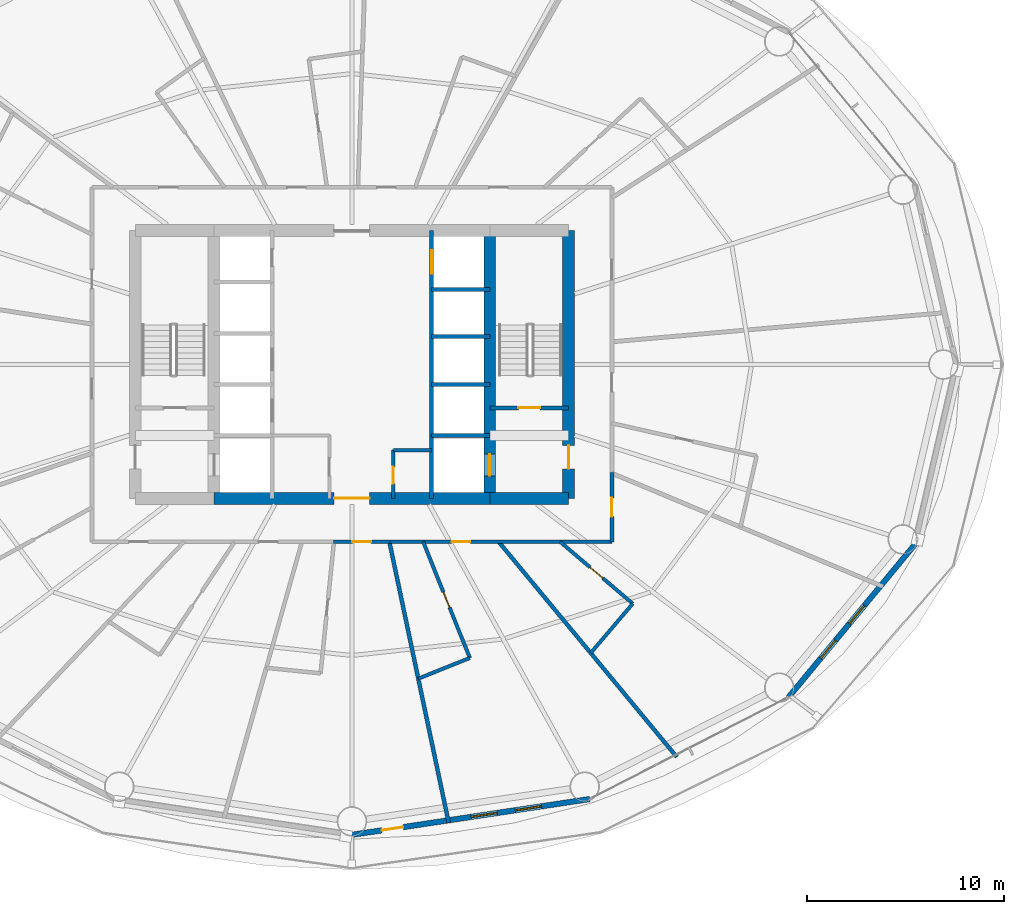
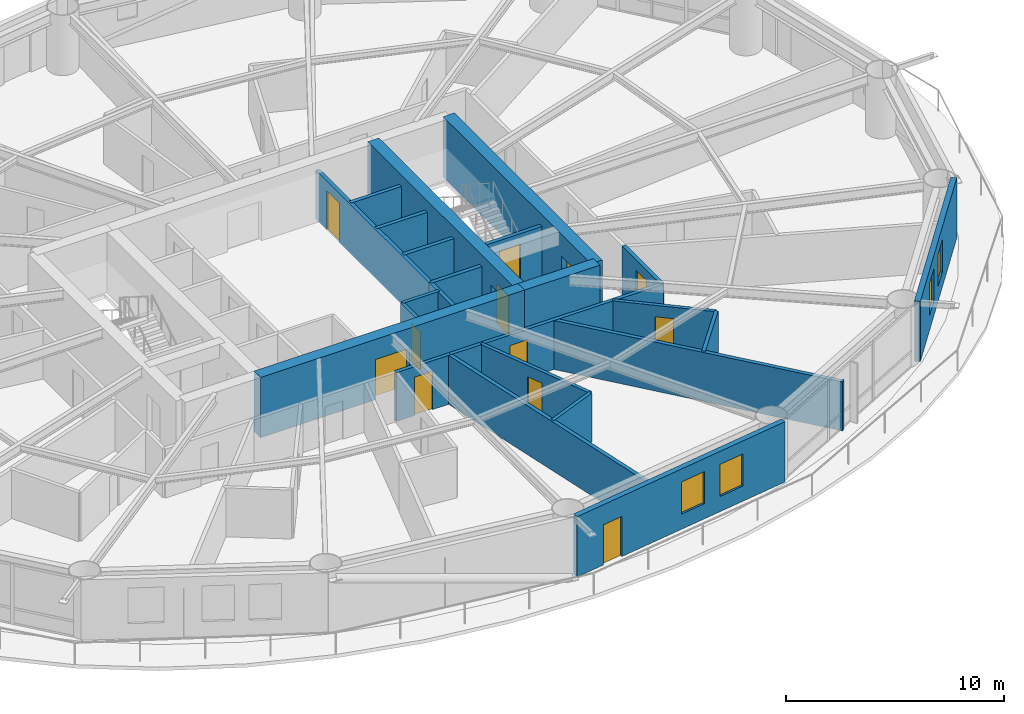
# One storey, part 21 of 26: 24 walls, 12 doors, 4 windows, 16 openings.
"""IFC4 building model written with IfcOpenShell, lengths in metres."""

from ifc_helpers import new_model, si_unit, direction, frame, frame_2d, origin, place, context, subcontext, project, spatial, rectangle, extrude, material, layer, layer_set, type_object, element, fill, save


model = new_model("IFC4")

# Units and contexts
model_context = context("Model", 3, precision=1e-05, world=origin(), true_north=direction((0.0, 1.0)))
body_context = subcontext(model_context, "Body", "Model", "MODEL_VIEW")
ifc_project = project(units=[si_unit("LENGTHUNIT", "METRE"), si_unit("AREAUNIT", "SQUARE_METRE"), si_unit("VOLUMEUNIT", "CUBIC_METRE"), si_unit("PLANEANGLEUNIT", "RADIAN"), si_unit("MASSUNIT", "GRAM", prefix="KILO")], contexts=[model_context])

# Site, building, storey
site_placement = place(None, origin())
site = spatial("IfcSite", under=ifc_project, at=site_placement, CompositionType="ELEMENT")
building_placement = place(site_placement, origin())
building = spatial("IfcBuilding", under=site, at=building_placement, Name="Sarneth Arch Tower", CompositionType="ELEMENT")
storey_placement = place(building_placement, frame((0.0, 0.0, 35.39990234375)))
storey = spatial("IfcBuildingStorey", under=building, at=storey_placement, Name="L07", CompositionType="ELEMENT", Elevation=35.39990234375)

# Wall, opening, door
ifc_material_1 = material(Name="Concrete C60/75", Category="concrete")
ifc_layer_1 = layer(ifc_material_1, 0.60009765625)
ifc_layer_set_1 = layer_set([ifc_layer_1], Name="Concrete C60/75")
wall_type_1 = type_object("IfcWallType", Name="WALL-CORE-600", PredefinedType="SHEAR", material=ifc_layer_set_1)
wall_1_placement = place(storey_placement, frame((41.0, 35.199951171875, 0.0), z_axis=(0.0, 0.0, 1.0), x_axis=(1.0, 0.0, 0.0)))
wall_1 = element("IfcWall", 1, at=wall_1_placement, inside=storey, type_object=wall_type_1, Name="L07 Core shear wall S-M", PredefinedType="SHEAR", context=body_context, shape_type="SweptSolid", body=[
    extrude(rectangle(XDim=14.0, YDim=0.60009765625, at=frame_2d((7.0, 0.0))), origin(), (0.0, 0.0, 1.0), 3.380126953125),
])
opening_1_placement = place(wall_1_placement, frame((6.10009765625, 0.0, 0.0)))
opening_1 = element("IfcOpeningElement", 2, at=opening_1_placement, cuts=wall_1, Name="Opening FD-01", PredefinedType="OPENING", context=body_context, shape_type="SweptSolid", body=[
    extrude(rectangle(XDim=1.800048828125, YDim=2.25, at=frame_2d((0.89990234375, 1.125))), frame((0.0, 0.31005859375, 0.0), z_axis=(0.0, -1.0, 0.0), x_axis=(1.0, 0.0, 0.0)), (0.0, 0.0, 1.0), 0.6201171875),
])
ifc_material_2 = material(Name="Galvanised Steel S275 fire door set", Category="steel")
door_type_1 = type_object("IfcDoorType", Name="DR-FD90-1800", OperationType="DOUBLE_DOOR_SINGLE_SWING", PredefinedType="DOOR", material=ifc_material_2)
door_1_placement = place(opening_1_placement, origin())
door_1 = element("IfcDoor", 3, at=door_1_placement, inside=storey, type_object=door_type_1, Name="L07 Central lift lobby south door", OperationType="DOUBLE_DOOR_SINGLE_SWING", OverallHeight=2.25, OverallWidth=1.800048828125, PredefinedType="DOOR", context=body_context, shape_type="SweptSolid", body=[
    extrude(rectangle(XDim=1.800048828125, YDim=2.25, at=frame_2d((0.89990234375, 1.125))), frame((0.0, 0.02490234375, 0.0), z_axis=(0.0, -1.0, 0.0), x_axis=(1.0, 0.0, 0.0)), (0.0, 0.0, 1.0), 0.050048828125),
])
fill(opening_1, door_1)

# Wall
wall_2_placement = place(storey_placement, frame((55.0, 35.199951171875, 0.0), z_axis=(0.0, 0.0, 1.0), x_axis=(1.0, 0.0, 0.0)))
element("IfcWall", 4, at=wall_2_placement, inside=storey, type_object=wall_type_1, Name="L07 Core shear wall S-E", PredefinedType="SHEAR", context=body_context, shape_type="SweptSolid", body=[
    extrude(rectangle(XDim=4.0, YDim=0.60009765625, at=frame_2d((2.0, 0.0))), origin(), (0.0, 0.0, 1.0), 3.380126953125),
])

# Wall, opening, door
wall_3_placement = place(storey_placement, frame((59.0, 35.199951171875, 0.0), z_axis=(0.0, 0.0, 1.0), x_axis=(0.0, 1.0, 0.0)))
wall_3 = element("IfcWall", 5, at=wall_3_placement, inside=storey, type_object=wall_type_1, Name="L07 Core shear wall E", PredefinedType="SHEAR", context=body_context, shape_type="SweptSolid", body=[
    extrude(rectangle(XDim=13.60009765625, YDim=0.60009765625, at=frame_2d((6.800048828125, 0.0))), origin(), (0.0, 0.0, 1.0), 3.380126953125),
])
opening_2_placement = place(wall_3_placement, frame((1.5, 0.0, 0.0)))
opening_2 = element("IfcOpeningElement", 6, at=opening_2_placement, cuts=wall_3, Name="Opening FD-02", PredefinedType="OPENING", context=body_context, shape_type="SweptSolid", body=[
    extrude(rectangle(XDim=1.199951171875, YDim=2.14990234375, at=frame_2d((0.60009765625, 1.074951171875))), frame((0.0, 0.31005859375, 0.0), z_axis=(0.0, -1.0, 0.0), x_axis=(1.0, 0.0, 0.0)), (0.0, 0.0, 1.0), 0.6201171875),
])
ifc_material_3 = material(Name="Galvanised Steel S275 fire door set", Category="steel")
door_type_2 = type_object("IfcDoorType", Name="DR-FD90-1200", OperationType="SINGLE_SWING_LEFT", PredefinedType="DOOR", material=ifc_material_3)
door_2_placement = place(opening_2_placement, origin())
door_2 = element("IfcDoor", 7, at=door_2_placement, inside=storey, type_object=door_type_2, Name="L07 Firefighting lobby 2 exit door", OperationType="SINGLE_SWING_RIGHT", OverallHeight=2.14990234375, OverallWidth=1.199951171875, PredefinedType="DOOR", context=body_context, shape_type="SweptSolid", body=[
    extrude(rectangle(XDim=1.199951171875, YDim=2.14990234375, at=frame_2d((0.60009765625, 1.074951171875))), frame((0.0, 0.02490234375, 0.0), z_axis=(0.0, -1.0, 0.0), x_axis=(1.0, 0.0, 0.0)), (0.0, 0.0, 1.0), 0.050048828125),
])
fill(opening_2, door_2)

wall_4_placement = place(storey_placement, frame((55.0, 35.199951171875, 0.0), z_axis=(0.0, 0.0, 1.0), x_axis=(0.0, 1.0, 0.0)))
wall_4 = element("IfcWall", 8, at=wall_4_placement, inside=storey, type_object=wall_type_1, Name="L07 Core shear wall WEB-E", PredefinedType="SHEAR", context=body_context, shape_type="SweptSolid", body=[
    extrude(rectangle(XDim=13.60009765625, YDim=0.60009765625, at=frame_2d((6.800048828125, 0.0))), origin(), (0.0, 0.0, 1.0), 3.380126953125),
])
opening_3_placement = place(wall_4_placement, frame((1.14990234375, 0.0, 0.0)))
opening_3 = element("IfcOpeningElement", 9, at=opening_3_placement, cuts=wall_4, Name="Opening LD-1", PredefinedType="OPENING", context=body_context, shape_type="SweptSolid", body=[
    extrude(rectangle(XDim=1.10009765625, YDim=2.199951171875, at=frame_2d((0.550048828125, 1.10009765625))), frame((0.0, 0.31005859375, 0.0), z_axis=(0.0, -1.0, 0.0), x_axis=(1.0, 0.0, 0.0)), (0.0, 0.0, 1.0), 0.6201171875),
])
ifc_material_4 = material(Name="Brushed Stainless Steel 304 lift landing door", Category="steel")
door_type_3 = type_object("IfcDoorType", Name="DR-LIFT-SLIDE-1100", OperationType="SLIDING_TO_LEFT", PredefinedType="DOOR", material=ifc_material_4)
door_3_placement = place(opening_3_placement, origin())
door_3 = element("IfcDoor", 10, at=door_3_placement, inside=storey, type_object=door_type_3, Name="L07 Firefighting lift landing door FL-2", OperationType="SLIDING_TO_RIGHT", OverallHeight=2.199951171875, OverallWidth=1.10009765625, PredefinedType="DOOR", context=body_context, shape_type="SweptSolid", body=[
    extrude(rectangle(XDim=1.10009765625, YDim=2.199951171875, at=frame_2d((0.550048828125, 1.10009765625))), frame((0.0, 0.02490234375, 0.0), z_axis=(0.0, -1.0, 0.0), x_axis=(1.0, 0.0, 0.0)), (0.0, 0.0, 1.0), 0.050048828125),
])
fill(opening_3, door_3)

ifc_material_5 = material(Name="Double steel-stud corridor fire wall", Category="steel")
ifc_layer_2 = layer(ifc_material_5, 0.18994140625)
ifc_layer_set_2 = layer_set([ifc_layer_2], Name="Double steel-stud corridor fire wall")
wall_type_2 = type_object("IfcWallType", Name="WALL-CORR-190", PredefinedType="PARTITIONING", material=ifc_layer_set_2)
wall_5_placement = place(storey_placement, frame((61.199951171875, 33.0, 0.0), z_axis=(0.0, 0.0, 1.0), x_axis=(-1.0, 0.0, 0.0)))
wall_5 = element("IfcWall", 11, at=wall_5_placement, inside=storey, type_object=wall_type_2, Name="L07 Interior partition W-L07-TP-022", PredefinedType="PARTITIONING", context=body_context, shape_type="SweptSolid", body=[
    extrude(rectangle(XDim=11.299560546875, YDim=0.18994140625, at=frame_2d((5.64990234375, 0.0))), origin(), (0.0, 0.0, 1.0), 2.739990234375),
])
opening_4_placement = place(wall_5_placement, frame((7.1884765625, 0.0, 0.0)))
opening_4 = element("IfcOpeningElement", 12, at=opening_4_placement, cuts=wall_5, Name="Opening FD-09", PredefinedType="OPENING", context=body_context, shape_type="SweptSolid", body=[
    extrude(rectangle(XDim=0.949951171875, YDim=2.14990234375, at=frame_2d((0.47509765625, 1.074951171875))), frame((0.0, 0.10498046875, 0.0), z_axis=(0.0, -1.0, 0.0), x_axis=(1.0, 0.0, 0.0)), (0.0, 0.0, 1.0), 0.2099609375),
])
ifc_material_6 = material(Name="Hardwood timber hotel entrance fire door", Category="wood")
door_type_4 = type_object("IfcDoorType", Name="DR-FD60-950", OperationType="SINGLE_SWING_RIGHT", PredefinedType="DOOR", material=ifc_material_6)
door_4_placement = place(opening_4_placement, origin())
door_4 = element("IfcDoor", 13, at=door_4_placement, inside=storey, type_object=door_type_4, Name="L07 Interior door DR-L07-KEY-11", OperationType="SINGLE_SWING_RIGHT", OverallHeight=2.14990234375, OverallWidth=0.949951171875, PredefinedType="DOOR", context=body_context, shape_type="SweptSolid", body=[
    extrude(rectangle(XDim=0.949951171875, YDim=2.14990234375, at=frame_2d((0.47509765625, 1.074951171875))), frame((0.0, 0.02490234375, 0.0), z_axis=(0.0, -1.0, 0.0), x_axis=(1.0, 0.0, 0.0)), (0.0, 0.0, 1.0), 0.050048828125),
])
fill(opening_4, door_4)

wall_6_placement = place(storey_placement, frame((61.199951171875, 36.51513671875, 0.0), z_axis=(0.0, 0.0, 1.0), x_axis=(0.0, -1.0, 0.0)))
wall_6 = element("IfcWall", 14, at=wall_6_placement, inside=storey, type_object=wall_type_2, Name="L07 Interior partition W-L07-TP-024", PredefinedType="PARTITIONING", context=body_context, shape_type="SweptSolid", body=[
    extrude(rectangle(XDim=3.51513671875, YDim=0.18994140625, at=frame_2d((1.757568359375, 0.0))), origin(), (0.0, 0.0, 1.0), 2.739990234375),
])
opening_5_placement = place(wall_6_placement, frame((1.282470703125, 0.0, 0.0)))
opening_5 = element("IfcOpeningElement", 15, at=opening_5_placement, cuts=wall_6, Name="Opening FD-09", PredefinedType="OPENING", context=body_context, shape_type="SweptSolid", body=[
    extrude(rectangle(XDim=0.949951171875, YDim=2.14990234375, at=frame_2d((0.47509765625, 1.074951171875))), frame((0.0, 0.10498046875, 0.0), z_axis=(0.0, -1.0, 0.0), x_axis=(1.0, 0.0, 0.0)), (0.0, 0.0, 1.0), 0.2099609375),
])
door_5_placement = place(opening_5_placement, origin())
door_5 = element("IfcDoor", 16, at=door_5_placement, inside=storey, type_object=door_type_4, Name="L07 Interior door DR-L07-KEY-12", OperationType="SINGLE_SWING_RIGHT", OverallHeight=2.14990234375, OverallWidth=0.949951171875, PredefinedType="DOOR", context=body_context, shape_type="SweptSolid", body=[
    extrude(rectangle(XDim=0.949951171875, YDim=2.14990234375, at=frame_2d((0.47509765625, 1.074951171875))), frame((0.0, 0.02490234375, 0.0), z_axis=(0.0, -1.0, 0.0), x_axis=(1.0, 0.0, 0.0)), (0.0, 0.0, 1.0), 0.050048828125),
])
fill(opening_5, door_5)

wall_7_placement = place(storey_placement, frame((49.93310546875, 33.0, 0.0), z_axis=(0.0, 0.0, 1.0), x_axis=(-1.0, 0.0, 0.0)))
wall_7 = element("IfcWall", 17, at=wall_7_placement, inside=storey, type_object=wall_type_2, Name="L07 Interior partition W-L07-TP-020", PredefinedType="PARTITIONING", context=body_context, shape_type="SweptSolid", body=[
    extrude(rectangle(XDim=2.87939453125, YDim=0.18994140625, at=frame_2d((1.439697265625, 0.0))), origin(), (0.0, 0.0, 1.0), 2.739990234375),
])
opening_6_placement = place(wall_7_placement, frame((0.96484375, 0.0, 0.0)))
opening_6 = element("IfcOpeningElement", 18, at=opening_6_placement, cuts=wall_7, Name="Opening FD-09", PredefinedType="OPENING", context=body_context, shape_type="SweptSolid", body=[
    extrude(rectangle(XDim=0.949951171875, YDim=2.14990234375, at=frame_2d((0.47509765625, 1.074951171875))), frame((0.0, 0.10498046875, 0.0), z_axis=(0.0, -1.0, 0.0), x_axis=(1.0, 0.0, 0.0)), (0.0, 0.0, 1.0), 0.2099609375),
])
door_6_placement = place(opening_6_placement, origin())
door_6 = element("IfcDoor", 19, at=door_6_placement, inside=storey, type_object=door_type_4, Name="L07 Interior door DR-L07-KEY-10", OperationType="SINGLE_SWING_RIGHT", OverallHeight=2.14990234375, OverallWidth=0.949951171875, PredefinedType="DOOR", context=body_context, shape_type="SweptSolid", body=[
    extrude(rectangle(XDim=0.949951171875, YDim=2.14990234375, at=frame_2d((0.47509765625, 1.074951171875))), frame((0.0, 0.02490234375, 0.0), z_axis=(0.0, -1.0, 0.0), x_axis=(1.0, 0.0, 0.0)), (0.0, 0.0, 1.0), 0.050048828125),
])
fill(opening_6, door_6)

# Wall, openings, door, windows
ifc_material_7 = material(Name="Extruded terracotta rainscreen on Concrete C40/50 backing", Category="masonry")
ifc_layer_3 = layer(ifc_material_7, 0.280029296875)
ifc_layer_set_3 = layer_set([ifc_layer_3], Name="Extruded terracotta rainscreen on Concrete C40/50 backing")
wall_type_3 = type_object("IfcWallType", Name="WALL-EXT-TERRA-280", PredefinedType="SOLIDWALL", material=ifc_layer_set_3)
wall_8_placement = place(storey_placement, frame((48.0, 18.1201171875, 0.0), z_axis=(0.0, 0.0, 1.0), x_axis=(0.988864835849, 0.148816452121, 0.0)))
wall_8 = element("IfcWall", 20, at=wall_8_placement, inside=storey, type_object=wall_type_3, Name="L07 Terracotta perimeter wall 13", PredefinedType="SOLIDWALL", context=body_context, shape_type="SweptSolid", body=[
    extrude(rectangle(XDim=12.2138671875, YDim=0.280029296875, at=frame_2d((6.10693359375, 0.0))), origin(), (0.0, 0.0, 1.0), 3.380126953125),
])
opening_7_placement = place(wall_8_placement, frame((1.53125, 0.0, 0.0)))
opening_7 = element("IfcOpeningElement", 21, at=opening_7_placement, cuts=wall_8, Name="Opening BD-3", PredefinedType="OPENING", context=body_context, shape_type="SweptSolid", body=[
    extrude(rectangle(XDim=1.10009765625, YDim=2.25, at=frame_2d((0.550048828125, 1.125))), frame((0.0, 0.14990234375, 0.0), z_axis=(0.0, -1.0, 0.0), x_axis=(1.0, 0.0, 0.0)), (0.0, 0.0, 1.0), 0.300048828125),
])
opening_8_placement = place(wall_8_placement, frame((6.1162109375, 0.0, 0.85009765625)))
opening_8 = element("IfcOpeningElement", 22, at=opening_8_placement, cuts=wall_8, Name="Opening W-08", PredefinedType="OPENING", context=body_context, shape_type="SweptSolid", body=[
    extrude(rectangle(XDim=1.35009765625, YDim=1.800048828125, at=frame_2d((0.675048828125, 0.89990234375))), frame((0.0, 0.14990234375, 0.0), z_axis=(0.0, -1.0, 0.0), x_axis=(1.0, 0.0, 0.0)), (0.0, 0.0, 1.0), 0.300048828125),
])
opening_9_placement = place(wall_8_placement, frame((8.38330078125, 0.0, 0.85009765625)))
opening_9 = element("IfcOpeningElement", 23, at=opening_9_placement, cuts=wall_8, Name="Opening W-08", PredefinedType="OPENING", context=body_context, shape_type="SweptSolid", body=[
    extrude(rectangle(XDim=1.35009765625, YDim=1.800048828125, at=frame_2d((0.675048828125, 0.89990234375))), frame((0.0, 0.14990234375, 0.0), z_axis=(0.0, -1.0, 0.0), x_axis=(1.0, 0.0, 0.0)), (0.0, 0.0, 1.0), 0.300048828125),
])
ifc_material_8 = material(Name="Thermally broken Aluminium 6063-T6 and laminated safety glass", Category="aluminium")
door_type_5 = type_object("IfcDoorType", Name="DR-BALC-GLZ-1100", OperationType="SINGLE_SWING_LEFT", PredefinedType="DOOR", material=ifc_material_8)
door_7_placement = place(opening_7_placement, origin())
door_7 = element("IfcDoor", 24, at=door_7_placement, inside=storey, type_object=door_type_5, Name="L07 Balcony glazed door 13", OperationType="SINGLE_SWING_LEFT", OverallHeight=2.25, OverallWidth=1.10009765625, PredefinedType="DOOR", context=body_context, shape_type="SweptSolid", body=[
    extrude(rectangle(XDim=1.10009765625, YDim=2.25, at=frame_2d((0.550048828125, 1.125))), frame((0.0, 0.02490234375, 0.0), z_axis=(0.0, -1.0, 0.0), x_axis=(1.0, 0.0, 0.0)), (0.0, 0.0, 1.0), 0.050048828125),
])
fill(opening_7, door_7)
ifc_material_9 = material(Name="Thermally broken Aluminium 6063-T6 and low-e laminated IGU", Category="aluminium")
window_type_1 = type_object("IfcWindowType", Name="WIN-TWR-1350x1800", PartitioningType="SINGLE_PANEL", PredefinedType="WINDOW", material=ifc_material_9)
window_1_placement = place(opening_8_placement, origin())
window_1 = element("IfcWindow", 25, at=window_1_placement, inside=storey, type_object=window_type_1, Name="L07 Exterior window 13A", OverallHeight=1.800048828125, OverallWidth=1.35009765625, PartitioningType="SINGLE_PANEL", PredefinedType="WINDOW", context=body_context, shape_type="SweptSolid", body=[
    extrude(rectangle(XDim=1.35009765625, YDim=1.800048828125, at=frame_2d((0.675048828125, 0.89990234375))), frame((0.0, 0.030029296875, 0.0), z_axis=(0.0, -1.0, 0.0), x_axis=(1.0, 0.0, 0.0)), (0.0, 0.0, 1.0), 0.06005859375),
])
fill(opening_8, window_1)
window_2_placement = place(opening_9_placement, origin())
window_2 = element("IfcWindow", 26, at=window_2_placement, inside=storey, type_object=window_type_1, Name="L07 Exterior window 13B", OverallHeight=1.800048828125, OverallWidth=1.35009765625, PartitioningType="SINGLE_PANEL", PredefinedType="WINDOW", context=body_context, shape_type="SweptSolid", body=[
    extrude(rectangle(XDim=1.35009765625, YDim=1.800048828125, at=frame_2d((0.675048828125, 0.89990234375))), frame((0.0, 0.030029296875, 0.0), z_axis=(0.0, -1.0, 0.0), x_axis=(1.0, 0.0, 0.0)), (0.0, 0.0, 1.0), 0.06005859375),
])
fill(opening_9, window_2)

# Wall, openings, windows
wall_9_placement = place(storey_placement, frame((70.174072265625, 25.1142578125, 0.0), z_axis=(0.0, 0.0, 1.0), x_axis=(0.637296809613, 0.770618437657, 0.0)))
wall_9 = element("IfcWall", 27, at=wall_9_placement, inside=storey, type_object=wall_type_3, Name="L07 Terracotta perimeter wall 15", PredefinedType="SOLIDWALL", context=body_context, shape_type="SweptSolid", body=[
    extrude(rectangle(XDim=10.053466796875, YDim=0.280029296875, at=frame_2d((5.02685546875, 0.0))), origin(), (0.0, 0.0, 1.0), 3.380126953125),
])
opening_10_placement = place(wall_9_placement, frame((2.552978515625, 0.0, 0.85009765625)))
opening_10 = element("IfcOpeningElement", 28, at=opening_10_placement, cuts=wall_9, Name="Opening W-09", PredefinedType="OPENING", context=body_context, shape_type="SweptSolid", body=[
    extrude(rectangle(XDim=1.199951171875, YDim=1.800048828125, at=frame_2d((0.60009765625, 0.89990234375))), frame((0.0, 0.14990234375, 0.0), z_axis=(0.0, -1.0, 0.0), x_axis=(1.0, 0.0, 0.0)), (0.0, 0.0, 1.0), 0.300048828125),
])
opening_11_placement = place(wall_9_placement, frame((4.83935546875, 0.0, 0.85009765625)))
opening_11 = element("IfcOpeningElement", 29, at=opening_11_placement, cuts=wall_9, Name="Opening W-09", PredefinedType="OPENING", context=body_context, shape_type="SweptSolid", body=[
    extrude(rectangle(XDim=1.199951171875, YDim=1.800048828125, at=frame_2d((0.60009765625, 0.89990234375))), frame((0.0, 0.14990234375, 0.0), z_axis=(0.0, -1.0, 0.0), x_axis=(1.0, 0.0, 0.0)), (0.0, 0.0, 1.0), 0.300048828125),
])
ifc_material_10 = material(Name="Thermally broken Aluminium 6063-T6 and low-e laminated IGU", Category="aluminium")
window_type_2 = type_object("IfcWindowType", Name="WIN-TWR-1200x1800", PartitioningType="SINGLE_PANEL", PredefinedType="WINDOW", material=ifc_material_10)
window_3_placement = place(opening_10_placement, origin())
window_3 = element("IfcWindow", 30, at=window_3_placement, inside=storey, type_object=window_type_2, Name="L07 Exterior window 15A", OverallHeight=1.800048828125, OverallWidth=1.199951171875, PartitioningType="SINGLE_PANEL", PredefinedType="WINDOW", context=body_context, shape_type="SweptSolid", body=[
    extrude(rectangle(XDim=1.199951171875, YDim=1.800048828125, at=frame_2d((0.60009765625, 0.89990234375))), frame((0.0, 0.030029296875, 0.0), z_axis=(0.0, -1.0, 0.0), x_axis=(1.0, 0.0, 0.0)), (0.0, 0.0, 1.0), 0.06005859375),
])
fill(opening_10, window_3)
window_4_placement = place(opening_11_placement, origin())
window_4 = element("IfcWindow", 31, at=window_4_placement, inside=storey, type_object=window_type_2, Name="L07 Exterior window 15B", OverallHeight=1.800048828125, OverallWidth=1.199951171875, PartitioningType="SINGLE_PANEL", PredefinedType="WINDOW", context=body_context, shape_type="SweptSolid", body=[
    extrude(rectangle(XDim=1.199951171875, YDim=1.800048828125, at=frame_2d((0.60009765625, 0.89990234375))), frame((0.0, 0.030029296875, 0.0), z_axis=(0.0, -1.0, 0.0), x_axis=(1.0, 0.0, 0.0)), (0.0, 0.0, 1.0), 0.06005859375),
])
fill(opening_11, window_4)

# Wall
ifc_material_11 = material(Name="Moisture-resistant plumbing chase wall", Category="gypsum")
ifc_layer_4 = layer(ifc_material_11, 0.179931640625)
ifc_layer_set_4 = layer_set([ifc_layer_4], Name="Moisture-resistant plumbing chase wall")
wall_type_4 = type_object("IfcWallType", Name="WALL-PLUMB-180", PredefinedType="PLUMBINGWALL", material=ifc_layer_set_4)
wall_10_placement = place(storey_placement, frame((50.10009765625, 37.64990234375, 0.0), z_axis=(0.0, 0.0, 1.0), x_axis=(1.0, 0.0, 0.0)))
element("IfcWall", 32, at=wall_10_placement, inside=storey, type_object=wall_type_4, Name="L07 Interior partition W-L07-AWC-N", PredefinedType="PLUMBINGWALL", context=body_context, shape_type="SweptSolid", body=[
    extrude(rectangle(XDim=1.949951171875, YDim=0.179931640625, at=frame_2d((0.97509765625, 0.0))), origin(), (0.0, 0.0, 1.0), 2.739990234375),
])

# Wall, opening, door
wall_11_placement = place(storey_placement, frame((50.10009765625, 35.199951171875, 0.0), z_axis=(0.0, 0.0, 1.0), x_axis=(0.0, 1.0, 0.0)))
wall_11 = element("IfcWall", 33, at=wall_11_placement, inside=storey, type_object=wall_type_4, Name="L07 Interior partition W-L07-AWC-W", PredefinedType="PLUMBINGWALL", context=body_context, shape_type="SweptSolid", body=[
    extrude(rectangle(XDim=2.449951171875, YDim=0.179931640625, at=frame_2d((1.22509765625, 0.0))), origin(), (0.0, 0.0, 1.0), 2.739990234375),
])
opening_12_placement = place(wall_11_placement, frame((0.75, 0.0, 0.0)))
opening_12 = element("IfcOpeningElement", 34, at=opening_12_placement, cuts=wall_11, Name="Opening ID-02", PredefinedType="OPENING", context=body_context, shape_type="SweptSolid", body=[
    extrude(rectangle(XDim=0.85009765625, YDim=2.10009765625, at=frame_2d((0.425048828125, 1.050048828125))), frame((0.0, 0.099853515625, 0.0), z_axis=(0.0, -1.0, 0.0), x_axis=(1.0, 0.0, 0.0)), (0.0, 0.0, 1.0), 0.199951171875),
])
ifc_material_12 = material(Name="Moisture-resistant bathroom timber door", Category="wood")
door_type_6 = type_object("IfcDoorType", Name="DR-INT-850", OperationType="SINGLE_SWING_RIGHT", PredefinedType="DOOR", material=ifc_material_12)
door_8_placement = place(opening_12_placement, origin())
door_8 = element("IfcDoor", 35, at=door_8_placement, inside=storey, type_object=door_type_6, Name="L07 Interior door DR-L07-AWC", OperationType="SINGLE_SWING_RIGHT", OverallHeight=2.10009765625, OverallWidth=0.85009765625, PredefinedType="DOOR", context=body_context, shape_type="SweptSolid", body=[
    extrude(rectangle(XDim=0.85009765625, YDim=2.10009765625, at=frame_2d((0.425048828125, 1.050048828125))), frame((0.0, 0.02490234375, 0.0), z_axis=(0.0, -1.0, 0.0), x_axis=(1.0, 0.0, 0.0)), (0.0, 0.0, 1.0), 0.050048828125),
])
fill(opening_12, door_8)

wall_12_placement = place(storey_placement, frame((53.986572265625, 27.102294921875, 0.0), z_axis=(0.0, 0.0, 1.0), x_axis=(-0.37285379951, 0.927890103509, 0.0)))
wall_12 = element("IfcWall", 36, at=wall_12_placement, inside=storey, type_object=wall_type_4, Name="L07 Interior partition W-L07-TP-066", PredefinedType="PLUMBINGWALL", context=body_context, shape_type="SweptSolid", body=[
    extrude(rectangle(XDim=6.35595703125, YDim=0.179931640625, at=frame_2d((3.177978515625, 0.0))), origin(), (0.0, 0.0, 1.0), 2.739990234375),
])
opening_13_placement = place(wall_12_placement, frame((2.7529296875, 0.0, 0.0)))
opening_13 = element("IfcOpeningElement", 37, at=opening_13_placement, cuts=wall_12, Name="Opening ID-02", PredefinedType="OPENING", context=body_context, shape_type="SweptSolid", body=[
    extrude(rectangle(XDim=0.85009765625, YDim=2.10009765625, at=frame_2d((0.425048828125, 1.050048828125))), frame((0.0, 0.099853515625, 0.0), z_axis=(0.0, -1.0, 0.0), x_axis=(1.0, 0.0, 0.0)), (0.0, 0.0, 1.0), 0.199951171875),
])
door_9_placement = place(opening_13_placement, origin())
door_9 = element("IfcDoor", 38, at=door_9_placement, inside=storey, type_object=door_type_6, Name="L07 Interior door DR-L07-ENS-11", OperationType="SINGLE_SWING_LEFT", OverallHeight=2.10009765625, OverallWidth=0.85009765625, PredefinedType="DOOR", context=body_context, shape_type="SweptSolid", body=[
    extrude(rectangle(XDim=0.85009765625, YDim=2.10009765625, at=frame_2d((0.425048828125, 1.050048828125))), frame((0.0, 0.02490234375, 0.0), z_axis=(0.0, -1.0, 0.0), x_axis=(1.0, 0.0, 0.0)), (0.0, 0.0, 1.0), 0.050048828125),
])
fill(opening_13, door_9)

wall_13_placement = place(storey_placement, frame((62.2578125, 29.85888671875, 0.0), z_axis=(0.0, 0.0, 1.0), x_axis=(-0.761358380859, 0.648331254758, 0.0)))
wall_13 = element("IfcWall", 39, at=wall_13_placement, inside=storey, type_object=wall_type_4, Name="L07 Interior partition W-L07-TP-070", PredefinedType="PLUMBINGWALL", context=body_context, shape_type="SweptSolid", body=[
    extrude(rectangle(XDim=4.844970703125, YDim=0.179931640625, at=frame_2d((2.42236328125, 0.0))), origin(), (0.0, 0.0, 1.0), 2.739990234375),
])
opening_14_placement = place(wall_13_placement, frame((1.997314453125, 0.0, 0.0)))
opening_14 = element("IfcOpeningElement", 40, at=opening_14_placement, cuts=wall_13, Name="Opening ID-02", PredefinedType="OPENING", context=body_context, shape_type="SweptSolid", body=[
    extrude(rectangle(XDim=0.85009765625, YDim=2.10009765625, at=frame_2d((0.425048828125, 1.050048828125))), frame((0.0, 0.099853515625, 0.0), z_axis=(0.0, -1.0, 0.0), x_axis=(1.0, 0.0, 0.0)), (0.0, 0.0, 1.0), 0.199951171875),
])
door_10_placement = place(opening_14_placement, origin())
door_10 = element("IfcDoor", 41, at=door_10_placement, inside=storey, type_object=door_type_6, Name="L07 Interior door DR-L07-ENS-12", OperationType="SINGLE_SWING_LEFT", OverallHeight=2.10009765625, OverallWidth=0.85009765625, PredefinedType="DOOR", context=body_context, shape_type="SweptSolid", body=[
    extrude(rectangle(XDim=0.85009765625, YDim=2.10009765625, at=frame_2d((0.425048828125, 1.050048828125))), frame((0.0, 0.02490234375, 0.0), z_axis=(0.0, -1.0, 0.0), x_axis=(1.0, 0.0, 0.0)), (0.0, 0.0, 1.0), 0.050048828125),
])
fill(opening_14, door_10)

# Walls
wall_14_placement = place(storey_placement, frame((60.123779296875, 27.352783203125, 0.0), z_axis=(0.0, 0.0, 1.0), x_axis=(0.648326357453, 0.76136255111, 0.0)))
element("IfcWall", 42, at=wall_14_placement, inside=storey, type_object=wall_type_4, Name="L07 Interior partition W-L07-TP-069", PredefinedType="PLUMBINGWALL", context=body_context, shape_type="SweptSolid", body=[
    extrude(rectangle(XDim=3.29150390625, YDim=0.179931640625, at=frame_2d((1.645751953125, 0.0))), origin(), (0.0, 0.0, 1.0), 2.739990234375),
])
wall_15_placement = place(storey_placement, frame((51.367919921875, 26.050048828125, 0.0), z_axis=(0.0, 0.0, 1.0), x_axis=(0.927890861741, 0.372851912558, 0.0)))
element("IfcWall", 43, at=wall_15_placement, inside=storey, type_object=wall_type_4, Name="L07 Interior partition W-L07-TP-065", PredefinedType="PLUMBINGWALL", context=body_context, shape_type="SweptSolid", body=[
    extrude(rectangle(XDim=2.822265625, YDim=0.179931640625, at=frame_2d((1.4111328125, 0.0))), origin(), (0.0, 0.0, 1.0), 2.739990234375),
])

# Wall, opening, door
ifc_material_13 = material(Name="Aerated concrete blockwork C25/30", Category="masonry")
ifc_layer_5 = layer(ifc_material_13, 0.199951171875)
ifc_layer_set_5 = layer_set([ifc_layer_5], Name="Aerated concrete blockwork C25/30")
wall_type_5 = type_object("IfcWallType", Name="WALL-SHAFT-200", PredefinedType="SOLIDWALL", material=ifc_layer_set_5)
wall_16_placement = place(storey_placement, frame((55.0, 39.800048828125, 0.0), z_axis=(0.0, 0.0, 1.0), x_axis=(1.0, 0.0, 0.0)))
wall_16 = element("IfcWall", 44, at=wall_16_placement, inside=storey, type_object=wall_type_5, Name="L07 Interior partition W-L07-ST2-S", PredefinedType="SOLIDWALL", context=body_context, shape_type="SweptSolid", body=[
    extrude(rectangle(XDim=4.0, YDim=0.199951171875, at=frame_2d((2.0, 0.0))), origin(), (0.0, 0.0, 1.0), 2.739990234375),
])
opening_15_placement = place(wall_16_placement, frame((1.449951171875, 0.0, 0.0)))
opening_15 = element("IfcOpeningElement", 45, at=opening_15_placement, cuts=wall_16, Name="Opening FD-03", PredefinedType="OPENING", context=body_context, shape_type="SweptSolid", body=[
    extrude(rectangle(XDim=1.10009765625, YDim=2.14990234375, at=frame_2d((0.550048828125, 1.074951171875))), frame((0.0, 0.10986328125, 0.0), z_axis=(0.0, -1.0, 0.0), x_axis=(1.0, 0.0, 0.0)), (0.0, 0.0, 1.0), 0.219970703125),
])
ifc_material_14 = material(Name="Galvanised Steel S275 fire door set", Category="steel")
door_type_7 = type_object("IfcDoorType", Name="DR-FD90-1100", OperationType="SINGLE_SWING_LEFT", PredefinedType="DOOR", material=ifc_material_14)
door_11_placement = place(opening_15_placement, origin())
door_11 = element("IfcDoor", 46, at=door_11_placement, inside=storey, type_object=door_type_7, Name="L07 Interior door DR-L07-ST2", OperationType="SINGLE_SWING_RIGHT", OverallHeight=2.14990234375, OverallWidth=1.10009765625, PredefinedType="DOOR", context=body_context, shape_type="SweptSolid", body=[
    extrude(rectangle(XDim=1.10009765625, YDim=2.14990234375, at=frame_2d((0.550048828125, 1.074951171875))), frame((0.0, 0.02490234375, 0.0), z_axis=(0.0, -1.0, 0.0), x_axis=(1.0, 0.0, 0.0)), (0.0, 0.0, 1.0), 0.050048828125),
])
fill(opening_15, door_11)

# Walls
wall_17_placement = place(storey_placement, frame((52.050048828125, 35.199951171875, 0.0), z_axis=(0.0, 0.0, 1.0), x_axis=(0.0, 1.0, 0.0)))
element("IfcWall", 47, at=wall_17_placement, inside=storey, type_object=wall_type_5, Name="L07 Interior partition W-L07-FL2-W", PredefinedType="SOLIDWALL", context=body_context, shape_type="SweptSolid", body=[
    extrude(rectangle(XDim=3.199951171875, YDim=0.199951171875, at=frame_2d((1.60009765625, 0.0))), origin(), (0.0, 0.0, 1.0), 2.739990234375),
])
wall_18_placement = place(storey_placement, frame((52.050048828125, 38.39990234375, 0.0), z_axis=(0.0, 0.0, 1.0), x_axis=(1.0, 0.0, 0.0)))
element("IfcWall", 48, at=wall_18_placement, inside=storey, type_object=wall_type_5, Name="L07 Interior partition W-L07-FL2-N", PredefinedType="SOLIDWALL", context=body_context, shape_type="SweptSolid", body=[
    extrude(rectangle(XDim=2.949951171875, YDim=0.199951171875, at=frame_2d((1.47509765625, 0.0))), origin(), (0.0, 0.0, 1.0), 2.739990234375),
])

# Wall, opening, door
wall_19_placement = place(storey_placement, frame((52.050048828125, 38.39990234375, 0.0), z_axis=(0.0, 0.0, 1.0), x_axis=(0.0, 1.0, 0.0)))
wall_19 = element("IfcWall", 49, at=wall_19_placement, inside=storey, type_object=wall_type_5, Name="L07 Interior partition W-L07-EASTBANK-FRONT", PredefinedType="SOLIDWALL", context=body_context, shape_type="SweptSolid", body=[
    extrude(rectangle(XDim=10.400146484375, YDim=0.199951171875, at=frame_2d((5.2001953125, 0.0))), origin(), (0.0, 0.0, 1.0), 2.739990234375),
])
opening_16_placement = place(wall_19_placement, frame((8.199951171875, 0.0, 0.0)))
opening_16 = element("IfcOpeningElement", 50, at=opening_16_placement, cuts=wall_19, Name="Opening LD-2", PredefinedType="OPENING", context=body_context, shape_type="SweptSolid", body=[
    extrude(rectangle(XDim=1.199951171875, YDim=2.199951171875, at=frame_2d((0.60009765625, 1.10009765625))), frame((0.0, 0.10986328125, 0.0), z_axis=(0.0, -1.0, 0.0), x_axis=(1.0, 0.0, 0.0)), (0.0, 0.0, 1.0), 0.219970703125),
])
ifc_material_15 = material(Name="Brushed Stainless Steel 304 service lift door", Category="steel")
door_type_8 = type_object("IfcDoorType", Name="DR-LIFT-SLIDE-1200", OperationType="SLIDING_TO_RIGHT", PredefinedType="DOOR", material=ifc_material_15)
door_12_placement = place(opening_16_placement, origin())
door_12 = element("IfcDoor", 51, at=door_12_placement, inside=storey, type_object=door_type_8, Name="L07 Lift landing door DR-L07-LD-SL1", OperationType="SLIDING_TO_RIGHT", OverallHeight=2.199951171875, OverallWidth=1.199951171875, PredefinedType="DOOR", context=body_context, shape_type="SweptSolid", body=[
    extrude(rectangle(XDim=1.199951171875, YDim=2.199951171875, at=frame_2d((0.60009765625, 1.10009765625))), frame((0.0, 0.02490234375, 0.0), z_axis=(0.0, -1.0, 0.0), x_axis=(1.0, 0.0, 0.0)), (0.0, 0.0, 1.0), 0.050048828125),
])
fill(opening_16, door_12)

# Walls
for number, where, z_axis, x_axis, name in (
    (52, (52.050048828125, 40.97998046875, 0.0), (0.0, 0.0, 1.0), (1.0, 0.0, 0.0), "L07 Interior partition W-L07-EB-DIV-4098"),
    (53, (52.050048828125, 43.419921875, 0.0), (0.0, 0.0, 1.0), (1.0, 0.0, 0.0), "L07 Interior partition W-L07-EB-DIV-4342"),
    (54, (52.050048828125, 45.800048828125, 0.0), (0.0, 0.0, 1.0), (1.0, 0.0, 0.0), "L07 Interior partition W-L07-EB-DIV-4580"),
):
    element("IfcWall", number, at=place(storey_placement, frame(where, z_axis=z_axis, x_axis=x_axis)), inside=storey, type_object=wall_type_5, Name=name, PredefinedType="SOLIDWALL", context=body_context, shape_type="SweptSolid", body=[
        extrude(rectangle(XDim=2.949951171875, YDim=0.199951171875, at=frame_2d((1.47509765625, 0.0))), origin(), (0.0, 0.0, 1.0), 2.739990234375),
    ])
ifc_material_16 = material(Name="Double steel-stud acoustic drywall", Category="steel")
ifc_layer_6 = layer(ifc_material_16, 0.199951171875)
ifc_layer_set_6 = layer_set([ifc_layer_6], Name="Double steel-stud acoustic drywall")
wall_type_6 = type_object("IfcWallType", Name="WALL-UNIT-200", PredefinedType="PARTITIONING", material=ifc_layer_set_6)
wall_20_placement = place(storey_placement, frame((49.900390625, 33.0, 0.0), z_axis=(0.0, 0.0, 1.0), x_axis=(0.206598790959, -0.97842574556, 0.0)))
element("IfcWall", 55, at=wall_20_placement, inside=storey, type_object=wall_type_6, Name="L07 Interior partition W-L07-TP-063", PredefinedType="PARTITIONING", context=body_context, shape_type="SweptSolid", body=[
    extrude(rectangle(XDim=14.576416015625, YDim=0.199951171875, at=frame_2d((7.2880859375, 0.0))), origin(), (0.0, 0.0, 1.0), 2.739990234375),
])
wall_21_placement = place(storey_placement, frame((55.449462890625, 33.0, 0.0), z_axis=(0.0, 0.0, 1.0), x_axis=(0.637638501905, -0.770335732579, 0.0)))
element("IfcWall", 56, at=wall_21_placement, inside=storey, type_object=wall_type_6, Name="L07 Interior partition W-L07-TP-068", PredefinedType="PARTITIONING", context=body_context, shape_type="SweptSolid", body=[
    extrude(rectangle(XDim=14.18701171875, YDim=0.199951171875, at=frame_2d((7.093505859375, 0.0))), origin(), (0.0, 0.0, 1.0), 2.739990234375),
])

save(model, "model.ifc")
